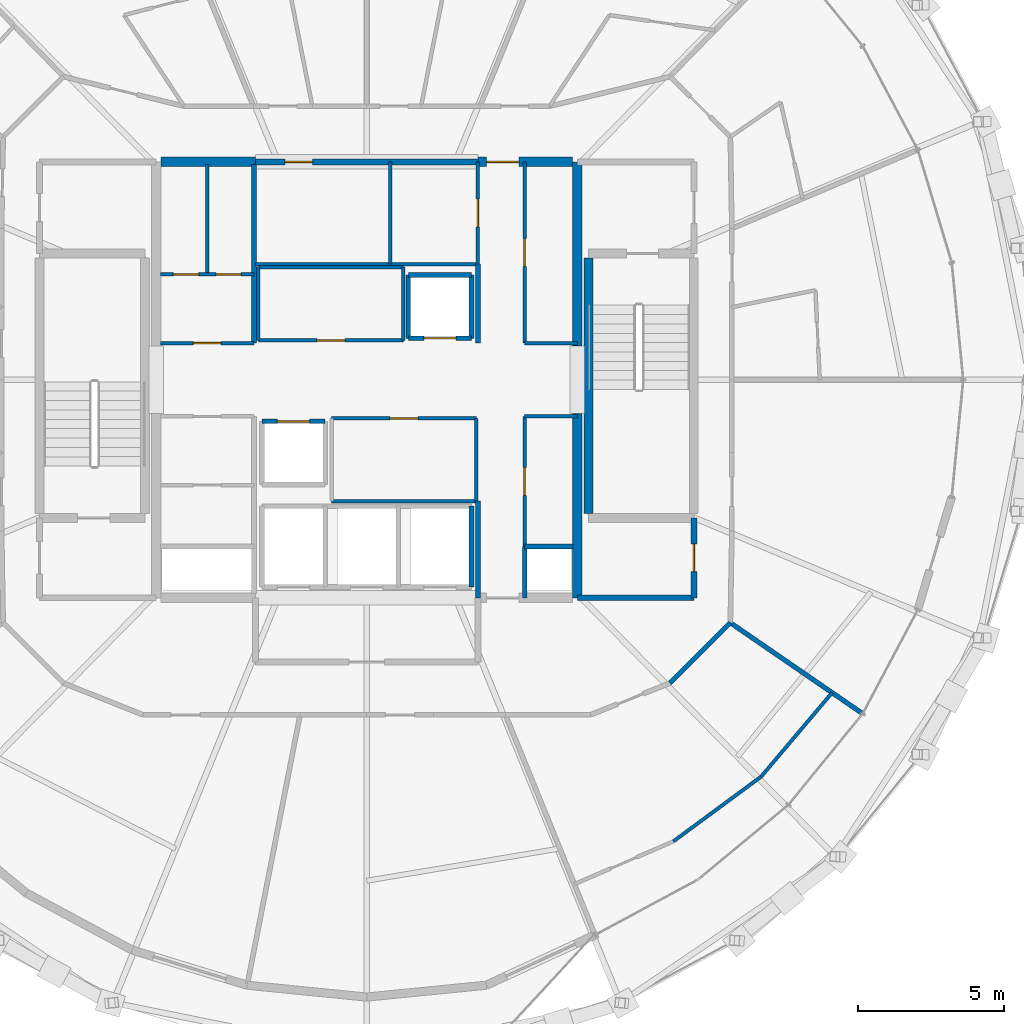
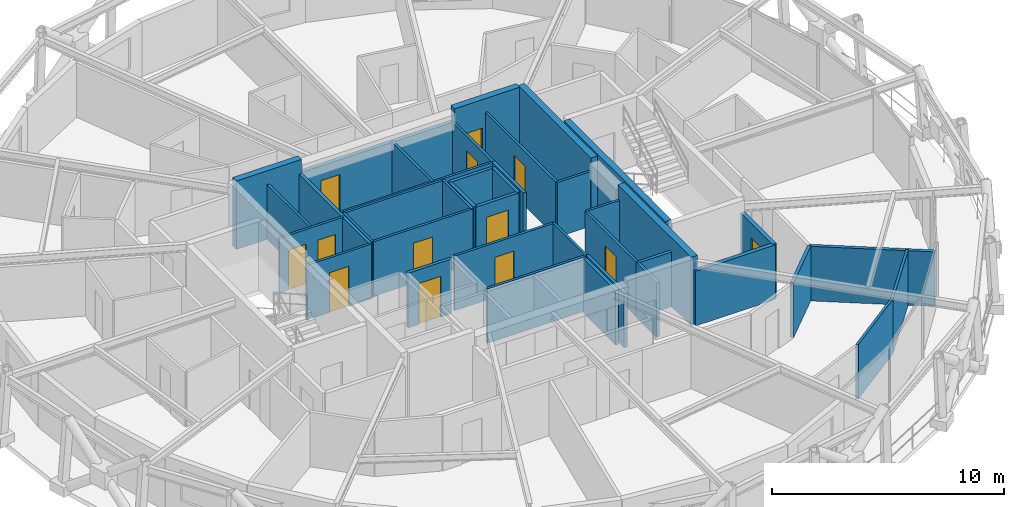
# One storey, part 12 of 15: 40 walls, 13 doors, 13 openings.
"""IFC4 building model written with IfcOpenShell, lengths in metres."""

from ifc_helpers import new_model, si_unit, direction, frame, frame_2d, origin, place, context, subcontext, project, spatial, rectangle, extrude, material, layer, layer_set, type_object, element, fill, save


model = new_model("IFC4")

# Units and contexts
model_context = context("Model", 3, precision=1e-05, world=origin(), true_north=direction((0.0, 1.0)))
body_context = subcontext(model_context, "Body", "Model", "MODEL_VIEW")
ifc_project = project(units=[si_unit("LENGTHUNIT", "METRE"), si_unit("AREAUNIT", "SQUARE_METRE"), si_unit("VOLUMEUNIT", "CUBIC_METRE"), si_unit("PLANEANGLEUNIT", "RADIAN"), si_unit("MASSUNIT", "GRAM", prefix="KILO")], contexts=[model_context])

# Site, building, storey
site_placement = place(None, origin())
site = spatial("IfcSite", under=ifc_project, at=site_placement, CompositionType="ELEMENT")
building_placement = place(site_placement, origin())
building = spatial("IfcBuilding", under=site, at=building_placement, Name="Veldorina Hangang Commons", CompositionType="ELEMENT")
storey_placement = place(building_placement, frame((0.0, 0.0, 250.800048828125)))
storey = spatial("IfcBuildingStorey", under=building, at=storey_placement, Name="L65", CompositionType="ELEMENT", Elevation=250.800048828125)

# Walls
ifc_material_1 = material(Name="Concrete C50/60", Category="concrete")
ifc_layer_1 = layer(ifc_material_1, 0.320068359375)
ifc_layer_set_1 = layer_set([ifc_layer_1], Name="Concrete C50/60")
wall_type_1 = type_object("IfcWallType", Name="CW-RC320-C50", PredefinedType="SHEAR", material=ifc_layer_set_1)
for number, where, z_axis, x_axis, name in (
    (1, (39.199951171875, 16.550048828125, 0.0), (0.0, 0.0, 1.0), (0.0, 1.0, 0.0), "L65 E south core shear wall"),
    (2, (39.199951171875, 25.14990234375, 0.0), (0.0, 0.0, 1.0), (0.0, 1.0, 0.0), "L65 E north core shear wall"),
):
    element("IfcWall", number, at=place(storey_placement, frame(where, z_axis=z_axis, x_axis=x_axis)), inside=storey, type_object=wall_type_1, Name=name, PredefinedType="SHEAR", context=body_context, shape_type="SweptSolid", body=[
        extrude(rectangle(XDim=6.300048828125, YDim=0.320068359375, at=frame_2d((3.14990234375, 0.0))), origin(), (0.0, 0.0, 1.0), 3.599853515625),
    ])
wall_1_placement = place(storey_placement, frame((24.9599609375, 31.449951171875, 0.0), z_axis=(0.0, 0.0, 1.0), x_axis=(1.0, 0.0, 0.0)))
element("IfcWall", 3, at=wall_1_placement, inside=storey, type_object=wall_type_1, Name="L65 north-west core shear wall", PredefinedType="SHEAR", context=body_context, shape_type="SweptSolid", body=[
    extrude(rectangle(XDim=3.239990234375, YDim=0.320068359375, at=frame_2d((1.6201171875, 0.0))), origin(), (0.0, 0.0, 1.0), 3.599853515625),
])

# Wall, opening, door
wall_2_placement = place(storey_placement, frame((35.800048828125, 31.449951171875, 0.0), z_axis=(0.0, 0.0, 1.0), x_axis=(1.0, 0.0, 0.0)))
wall_2 = element("IfcWall", 4, at=wall_2_placement, inside=storey, type_object=wall_type_1, Name="L65 north-east core shear wall", PredefinedType="SHEAR", context=body_context, shape_type="SweptSolid", body=[
    extrude(rectangle(XDim=3.239990234375, YDim=0.320068359375, at=frame_2d((1.6201171875, 0.0))), origin(), (0.0, 0.0, 1.0), 3.599853515625),
])
opening_1_placement = place(wall_2_placement, frame((0.300048828125, 0.0, 0.0)))
opening_1 = element("IfcOpeningElement", 5, at=opening_1_placement, cuts=wall_2, Name="Opening D-08", PredefinedType="OPENING", context=body_context, shape_type="SweptSolid", body=[
    extrude(rectangle(XDim=1.10009765625, YDim=2.10009765625, at=frame_2d((0.550048828125, 1.050048828125))), frame((0.0, 0.169921875, 0.0), z_axis=(0.0, -1.0, 0.0), x_axis=(1.0, 0.0, 0.0)), (0.0, 0.0, 1.0), 0.340087890625),
])
ifc_material_2 = material(Name="Steel Fire-Rated Smoke Seal", Category="steel")
door_type_1 = type_object("IfcDoorType", Name="DR-FIRE-1100", OperationType="SINGLE_SWING_RIGHT", PredefinedType="DOOR", material=ifc_material_2)
door_1_placement = place(opening_1_placement, origin())
door_1 = element("IfcDoor", 6, at=door_1_placement, inside=storey, type_object=door_type_1, Name="L65 central lift lobby north corridor door", OperationType="SINGLE_SWING_LEFT", OverallHeight=2.10009765625, OverallWidth=1.10009765625, PredefinedType="DOOR", context=body_context, shape_type="SweptSolid", body=[
    extrude(rectangle(XDim=1.10009765625, YDim=2.10009765625, at=frame_2d((0.550048828125, 1.050048828125))), frame((0.0, 0.02490234375, 0.0), z_axis=(0.0, -1.0, 0.0), x_axis=(1.0, 0.0, 0.0)), (0.0, 0.0, 1.0), 0.050048828125),
])
fill(opening_1, door_1)

# Walls
ifc_layer_2 = layer(ifc_material_1, 0.300048828125)
ifc_layer_set_2 = layer_set([ifc_layer_2], Name="Concrete C50/60")
wall_type_2 = type_object("IfcWallType", Name="SW-STAIR-300", PredefinedType="SHEAR", material=ifc_layer_set_2)
wall_3_placement = place(storey_placement, frame((39.580078125, 19.429931640625, 0.0), z_axis=(0.0, 0.0, 1.0), x_axis=(0.0, 1.0, 0.0)))
element("IfcWall", 7, at=wall_3_placement, inside=storey, type_object=wall_type_2, Name="L65 ST2 inner stair shear wall", PredefinedType="SHEAR", context=body_context, shape_type="SweptSolid", body=[
    extrude(rectangle(XDim=8.739990234375, YDim=0.300048828125, at=frame_2d((4.3701171875, 0.0))), origin(), (0.0, 0.0, 1.0), 3.599853515625),
])
ifc_material_3 = material(Name="Gypsum Fire-Rated Twin Stud Wall", Category="gypsum")
ifc_layer_3 = layer(ifc_material_3, 0.159912109375)
ifc_layer_set_3 = layer_set([ifc_layer_3], Name="Gypsum Fire-Rated Twin Stud Wall")
wall_type_3 = type_object("IfcWallType", Name="WL-FIRE-160", PredefinedType="SOLIDWALL", material=ifc_layer_set_3)
wall_4_placement = place(storey_placement, frame((35.800048828125, 16.550048828125, 0.0), z_axis=(0.0, 0.0, 1.0), x_axis=(0.0, 1.0, 0.0)))
element("IfcWall", 8, at=wall_4_placement, inside=storey, type_object=wall_type_3, Name="L65 Lift passage SW wall 009", PredefinedType="SOLIDWALL", context=body_context, shape_type="SweptSolid", body=[
    extrude(rectangle(XDim=3.300048828125, YDim=0.159912109375, at=frame_2d((1.64990234375, 0.0))), origin(), (0.0, 0.0, 1.0), 2.869873046875),
])
wall_5_placement = place(storey_placement, frame((37.39990234375, 16.550048828125, 0.0), z_axis=(0.0, 0.0, 1.0), x_axis=(0.0, 1.0, 0.0)))
element("IfcWall", 9, at=wall_5_placement, inside=storey, type_object=wall_type_3, Name="L65 Lift passage SE stub 010", PredefinedType="SOLIDWALL", context=body_context, shape_type="SweptSolid", body=[
    extrude(rectangle(XDim=1.75, YDim=0.159912109375, at=frame_2d((0.875, 0.0))), origin(), (0.0, 0.0, 1.0), 2.869873046875),
])
wall_6_placement = place(storey_placement, frame((35.800048828125, 25.25, 0.0), z_axis=(0.0, 0.0, 1.0), x_axis=(0.0, 1.0, 0.0)))
element("IfcWall", 10, at=wall_6_placement, inside=storey, type_object=wall_type_3, Name="L65 Lift passage NW lower wall 011", PredefinedType="SOLIDWALL", context=body_context, shape_type="SweptSolid", body=[
    extrude(rectangle(XDim=2.699951171875, YDim=0.159912109375, at=frame_2d((1.35009765625, 0.0))), origin(), (0.0, 0.0, 1.0), 2.869873046875),
])

# Wall, opening, door
wall_7_placement = place(storey_placement, frame((33.419921875, 25.419921875, 0.0), z_axis=(0.0, 0.0, 1.0), x_axis=(1.0, 0.0, 0.0)))
wall_7 = element("IfcWall", 11, at=wall_7_placement, inside=storey, type_object=wall_type_3, Name="L65 Mid-high front shaft wall 015", PredefinedType="SOLIDWALL", context=body_context, shape_type="SweptSolid", body=[
    extrude(rectangle(XDim=2.16015625, YDim=0.159912109375, at=frame_2d((1.080078125, 0.0))), origin(), (0.0, 0.0, 1.0), 2.869873046875),
])
opening_2_placement = place(wall_7_placement, frame((0.530029296875, 0.0, 0.0)))
opening_2 = element("IfcOpeningElement", 12, at=opening_2_placement, cuts=wall_7, Name="Opening LD-01", PredefinedType="OPENING", context=body_context, shape_type="SweptSolid", body=[
    extrude(rectangle(XDim=1.10009765625, YDim=2.14990234375, at=frame_2d((0.550048828125, 1.074951171875))), frame((0.0, 0.08984375, 0.0), z_axis=(0.0, -1.0, 0.0), x_axis=(1.0, 0.0, 0.0)), (0.0, 0.0, 1.0), 0.179931640625),
])
ifc_material_4 = material(Name="Stainless Steel Brushed Lift Door", Category="steel")
door_type_2 = type_object("IfcDoorType", Name="DR-LIFT-1100", OperationType="SLIDING_TO_LEFT", PredefinedType="DOOR", material=ifc_material_4)
door_2_placement = place(opening_2_placement, origin())
door_2 = element("IfcDoor", 13, at=door_2_placement, inside=storey, type_object=door_type_2, Name="L65 Lift PL-H1 landing door 006", OperationType="SLIDING_TO_RIGHT", OverallHeight=2.14990234375, OverallWidth=1.10009765625, PredefinedType="DOOR", context=body_context, shape_type="SweptSolid", body=[
    extrude(rectangle(XDim=1.10009765625, YDim=2.14990234375, at=frame_2d((0.550048828125, 1.074951171875))), frame((0.0, 0.02490234375, 0.0), z_axis=(0.0, -1.0, 0.0), x_axis=(1.0, 0.0, 0.0)), (0.0, 0.0, 1.0), 0.050048828125),
])
fill(opening_2, door_2)

# Walls
for number, where, z_axis, x_axis, name in (
    (14, (33.419921875, 27.580078125, 0.0), (0.0, 0.0, 1.0), (1.0, 0.0, 0.0), "L65 Mid-high rear shaft wall 016"),
    (15, (33.419921875, 25.419921875, 0.0), (0.0, 0.0, 1.0), (0.0, 1.0, 0.0), "L65 PL-H1 west shaft wall 017"),
    (16, (35.580078125, 25.419921875, 0.0), (0.0, 0.0, 1.0), (0.0, 1.0, 0.0), "L65 PL-H1 east shaft wall 018"),
):
    element("IfcWall", number, at=place(storey_placement, frame(where, z_axis=z_axis, x_axis=x_axis)), inside=storey, type_object=wall_type_3, Name=name, PredefinedType="SOLIDWALL", context=body_context, shape_type="SweptSolid", body=[
        extrude(rectangle(XDim=2.16015625, YDim=0.159912109375, at=frame_2d((1.080078125, 0.0))), origin(), (0.0, 0.0, 1.0), 2.869873046875),
    ])

# Wall, opening, door
wall_8_placement = place(storey_placement, frame((28.419921875, 22.580078125, 0.0), z_axis=(0.0, 0.0, 1.0), x_axis=(1.0, 0.0, 0.0)))
wall_8 = element("IfcWall", 17, at=wall_8_placement, inside=storey, type_object=wall_type_3, Name="L65 Shuttle-high front shaft wall 019", PredefinedType="SOLIDWALL", context=body_context, shape_type="SweptSolid", body=[
    extrude(rectangle(XDim=2.16015625, YDim=0.159912109375, at=frame_2d((1.080078125, 0.0))), origin(), (0.0, 0.0, 1.0), 2.869873046875),
])
opening_3_placement = place(wall_8_placement, frame((0.530029296875, 0.0, 0.0)))
opening_3 = element("IfcOpeningElement", 18, at=opening_3_placement, cuts=wall_8, Name="Opening LD-01", PredefinedType="OPENING", context=body_context, shape_type="SweptSolid", body=[
    extrude(rectangle(XDim=1.10009765625, YDim=2.14990234375, at=frame_2d((0.550048828125, 1.074951171875))), frame((0.0, 0.08984375, 0.0), z_axis=(0.0, -1.0, 0.0), x_axis=(1.0, 0.0, 0.0)), (0.0, 0.0, 1.0), 0.179931640625),
])
door_3_placement = place(opening_3_placement, origin())
door_3 = element("IfcDoor", 19, at=door_3_placement, inside=storey, type_object=door_type_2, Name="L65 Lift PL-H2 landing door 007", OperationType="SLIDING_TO_LEFT", OverallHeight=2.14990234375, OverallWidth=1.10009765625, PredefinedType="DOOR", context=body_context, shape_type="SweptSolid", body=[
    extrude(rectangle(XDim=1.10009765625, YDim=2.14990234375, at=frame_2d((0.550048828125, 1.074951171875))), frame((0.0, 0.02490234375, 0.0), z_axis=(0.0, -1.0, 0.0), x_axis=(1.0, 0.0, 0.0)), (0.0, 0.0, 1.0), 0.050048828125),
])
fill(opening_3, door_3)

# Walls
wall_9_placement = place(storey_placement, frame((35.580078125, 16.919921875, 0.0), z_axis=(0.0, 0.0, 1.0), x_axis=(0.0, 1.0, 0.0)))
element("IfcWall", 20, at=wall_9_placement, inside=storey, type_object=wall_type_3, Name="L65 EVL-1 east shaft wall 028", PredefinedType="SOLIDWALL", context=body_context, shape_type="SweptSolid", body=[
    extrude(rectangle(XDim=2.760009765625, YDim=0.159912109375, at=frame_2d((1.3798828125, 0.0))), origin(), (0.0, 0.0, 1.0), 2.869873046875),
])
wall_10_placement = place(storey_placement, frame((37.39990234375, 18.300048828125, 0.0), z_axis=(0.0, 0.0, 1.0), x_axis=(1.0, 0.0, 0.0)))
element("IfcWall", 21, at=wall_10_placement, inside=storey, type_object=wall_type_3, Name="L65 Plumbing riser wall 043", PredefinedType="SOLIDWALL", context=body_context, shape_type="SweptSolid", body=[
    extrude(rectangle(XDim=1.650146484375, YDim=0.159912109375, at=frame_2d((0.8251953125, 0.0))), origin(), (0.0, 0.0, 1.0), 2.869873046875),
])
wall_11_placement = place(storey_placement, frame((28.14990234375, 25.25, 0.0), z_axis=(0.0, 0.0, 1.0), x_axis=(0.0, 1.0, 0.0)))
element("IfcWall", 22, at=wall_11_placement, inside=storey, type_object=wall_type_3, Name="L65 NW core inner wall 044", PredefinedType="SOLIDWALL", context=body_context, shape_type="SweptSolid", body=[
    extrude(rectangle(XDim=6.10009765625, YDim=0.159912109375, at=frame_2d((3.050048828125, 0.0))), origin(), (0.0, 0.0, 1.0), 2.869873046875),
])
wall_12_placement = place(storey_placement, frame((42.364990234375, 13.635009765625, 0.0), z_axis=(0.0, 0.0, 1.0), x_axis=(0.707106781187, 0.707106781187, 0.0)))
element("IfcWall", 23, at=wall_12_placement, inside=storey, type_object=wall_type_3, Name="L65 Compact collar outer wall 28 082", PredefinedType="SOLIDWALL", context=body_context, shape_type="SweptSolid", body=[
    extrude(rectangle(XDim=2.915771484375, YDim=0.159912109375, at=frame_2d((1.4580078125, 0.0))), origin(), (0.0, 0.0, 1.0), 2.869873046875),
])
wall_13_placement = place(storey_placement, frame((44.4267578125, 15.69677734375, 0.0), z_axis=(0.0, 0.0, 1.0), x_axis=(0.824260654359, -0.566210538294, 0.0)))
element("IfcWall", 24, at=wall_13_placement, inside=storey, type_object=wall_type_3, Name="L65 Unit party wall 29 086", PredefinedType="SOLIDWALL", context=body_context, shape_type="SweptSolid", body=[
    extrude(rectangle(XDim=5.437255859375, YDim=0.159912109375, at=frame_2d((2.71875, 0.0))), origin(), (0.0, 0.0, 1.0), 2.869873046875),
])

# Wall, opening, door
ifc_material_5 = material(Name="Concrete Blockwork Fire Wall C30/37", Category="masonry")
ifc_layer_4 = layer(ifc_material_5, 0.199951171875)
ifc_layer_set_4 = layer_set([ifc_layer_4], Name="Concrete Blockwork Fire Wall C30/37")
wall_type_4 = type_object("IfcWallType", Name="WL-FIRE-200", PredefinedType="SOLIDWALL", material=ifc_layer_set_4)
wall_14_placement = place(storey_placement, frame((43.179931640625, 16.550048828125, 0.0), z_axis=(0.0, 0.0, 1.0), x_axis=(0.0, 1.0, 0.0)))
wall_14 = element("IfcWall", 25, at=wall_14_placement, inside=storey, type_object=wall_type_4, Name="L65 SE core room outer wall 007", PredefinedType="SOLIDWALL", context=body_context, shape_type="SweptSolid", body=[
    extrude(rectangle(XDim=2.72998046875, YDim=0.199951171875, at=frame_2d((1.364990234375, 0.0))), origin(), (0.0, 0.0, 1.0), 2.869873046875),
])
opening_4_placement = place(wall_14_placement, frame((0.889892578125, 0.0, 0.0)))
opening_4 = element("IfcOpeningElement", 26, at=opening_4_placement, cuts=wall_14, Name="Opening D-02", PredefinedType="OPENING", context=body_context, shape_type="SweptSolid", body=[
    extrude(rectangle(XDim=0.949951171875, YDim=2.10009765625, at=frame_2d((0.47509765625, 1.050048828125))), frame((0.0, 0.10986328125, 0.0), z_axis=(0.0, -1.0, 0.0), x_axis=(1.0, 0.0, 0.0)), (0.0, 0.0, 1.0), 0.219970703125),
])
ifc_material_6 = material(Name="Timber Solid Core Acoustic", Category="wood")
door_type_3 = type_object("IfcDoorType", Name="DR-INT-950", OperationType="SINGLE_SWING_LEFT", PredefinedType="DOOR", material=ifc_material_6)
door_4_placement = place(opening_4_placement, origin())
door_4 = element("IfcDoor", 27, at=door_4_placement, inside=storey, type_object=door_type_3, Name="L65 SE core WC door 004", OperationType="SINGLE_SWING_RIGHT", OverallHeight=2.10009765625, OverallWidth=0.949951171875, PredefinedType="DOOR", context=body_context, shape_type="SweptSolid", body=[
    extrude(rectangle(XDim=0.949951171875, YDim=2.10009765625, at=frame_2d((0.47509765625, 1.050048828125))), frame((0.0, 0.02490234375, 0.0), z_axis=(0.0, -1.0, 0.0), x_axis=(1.0, 0.0, 0.0)), (0.0, 0.0, 1.0), 0.050048828125),
])
fill(opening_4, door_4)

# Wall
wall_15_placement = place(storey_placement, frame((39.199951171875, 16.550048828125, 0.0), z_axis=(0.0, 0.0, 1.0), x_axis=(1.0, 0.0, 0.0)))
element("IfcWall", 28, at=wall_15_placement, inside=storey, type_object=wall_type_4, Name="L65 SE core room south wall 008", PredefinedType="SOLIDWALL", context=body_context, shape_type="SweptSolid", body=[
    extrude(rectangle(XDim=3.97998046875, YDim=0.199951171875, at=frame_2d((1.989990234375, 0.0))), origin(), (0.0, 0.0, 1.0), 2.869873046875),
])

# Wall, opening, door
wall_16_placement = place(storey_placement, frame((28.199951171875, 31.449951171875, 0.0), z_axis=(0.0, 0.0, 1.0), x_axis=(1.0, 0.0, 0.0)))
wall_16 = element("IfcWall", 29, at=wall_16_placement, inside=storey, type_object=wall_type_4, Name="L65 Merged north core wall 029", PredefinedType="SOLIDWALL", context=body_context, shape_type="SweptSolid", body=[
    extrude(rectangle(XDim=7.60009765625, YDim=0.199951171875, at=frame_2d((3.800048828125, 0.0))), origin(), (0.0, 0.0, 1.0), 2.869873046875),
])
opening_5_placement = place(wall_16_placement, frame((1.0, 0.0, 0.0)))
opening_5 = element("IfcOpeningElement", 30, at=opening_5_placement, cuts=wall_16, Name="Opening D-02", PredefinedType="OPENING", context=body_context, shape_type="SweptSolid", body=[
    extrude(rectangle(XDim=0.949951171875, YDim=2.10009765625, at=frame_2d((0.47509765625, 1.050048828125))), frame((0.0, 0.10986328125, 0.0), z_axis=(0.0, -1.0, 0.0), x_axis=(1.0, 0.0, 0.0)), (0.0, 0.0, 1.0), 0.219970703125),
])
door_5_placement = place(opening_5_placement, origin())
door_5 = element("IfcDoor", 31, at=door_5_placement, inside=storey, type_object=door_type_3, Name="L65 Core study alcove door 011", OperationType="SINGLE_SWING_LEFT", OverallHeight=2.10009765625, OverallWidth=0.949951171875, PredefinedType="DOOR", context=body_context, shape_type="SweptSolid", body=[
    extrude(rectangle(XDim=0.949951171875, YDim=2.10009765625, at=frame_2d((0.47509765625, 1.050048828125))), frame((0.0, 0.02490234375, 0.0), z_axis=(0.0, -1.0, 0.0), x_axis=(1.0, 0.0, 0.0)), (0.0, 0.0, 1.0), 0.050048828125),
])
fill(opening_5, door_5)

# Wall
ifc_material_7 = material(Name="Gypsum Acoustic Stud Partition", Category="gypsum")
ifc_layer_5 = layer(ifc_material_7, 0.1201171875)
ifc_layer_set_5 = layer_set([ifc_layer_5], Name="Gypsum Acoustic Stud Partition")
wall_type_5 = type_object("IfcWallType", Name="WL-PART-120", PredefinedType="PARTITIONING", material=ifc_layer_set_5)
wall_17_placement = place(storey_placement, frame((28.199951171875, 27.949951171875, 0.0), z_axis=(0.0, 0.0, 1.0), x_axis=(1.0, 0.0, 0.0)))
element("IfcWall", 32, at=wall_17_placement, inside=storey, type_object=wall_type_5, Name="L65 Merged north south wall 030", PredefinedType="PARTITIONING", context=body_context, shape_type="SweptSolid", body=[
    extrude(rectangle(XDim=7.60009765625, YDim=0.1201171875, at=frame_2d((3.800048828125, 0.0))), origin(), (0.0, 0.0, 1.0), 2.869873046875),
])

# Wall, opening, door
wall_18_placement = place(storey_placement, frame((35.800048828125, 27.949951171875, 0.0), z_axis=(0.0, 0.0, 1.0), x_axis=(0.0, 1.0, 0.0)))
wall_18 = element("IfcWall", 33, at=wall_18_placement, inside=storey, type_object=wall_type_5, Name="L65 Merged north east wall 031", PredefinedType="PARTITIONING", context=body_context, shape_type="SweptSolid", body=[
    extrude(rectangle(XDim=3.5, YDim=0.1201171875, at=frame_2d((1.75, 0.0))), origin(), (0.0, 0.0, 1.0), 2.869873046875),
])
opening_6_placement = place(wall_18_placement, frame((1.27490234375, 0.0, 0.0)))
opening_6 = element("IfcOpeningElement", 34, at=opening_6_placement, cuts=wall_18, Name="Opening D-02", PredefinedType="OPENING", context=body_context, shape_type="SweptSolid", body=[
    extrude(rectangle(XDim=0.949951171875, YDim=2.10009765625, at=frame_2d((0.47509765625, 1.050048828125))), frame((0.0, 0.070068359375, 0.0), z_axis=(0.0, -1.0, 0.0), x_axis=(1.0, 0.0, 0.0)), (0.0, 0.0, 1.0), 0.14013671875),
])
door_6_placement = place(opening_6_placement, origin())
door_6 = element("IfcDoor", 35, at=door_6_placement, inside=storey, type_object=door_type_3, Name="L65 Core linen store door 012", OperationType="SINGLE_SWING_RIGHT", OverallHeight=2.10009765625, OverallWidth=0.949951171875, PredefinedType="DOOR", context=body_context, shape_type="SweptSolid", body=[
    extrude(rectangle(XDim=0.949951171875, YDim=2.10009765625, at=frame_2d((0.47509765625, 1.050048828125))), frame((0.0, 0.02490234375, 0.0), z_axis=(0.0, -1.0, 0.0), x_axis=(1.0, 0.0, 0.0)), (0.0, 0.0, 1.0), 0.050048828125),
])
fill(opening_6, door_6)

# Wall
wall_19_placement = place(storey_placement, frame((32.800048828125, 27.949951171875, 0.0), z_axis=(0.0, 0.0, 1.0), x_axis=(0.0, 1.0, 0.0)))
element("IfcWall", 36, at=wall_19_placement, inside=storey, type_object=wall_type_5, Name="L65 Merged north split wall 032", PredefinedType="PARTITIONING", context=body_context, shape_type="SweptSolid", body=[
    extrude(rectangle(XDim=3.5, YDim=0.1201171875, at=frame_2d((1.75, 0.0))), origin(), (0.0, 0.0, 1.0), 2.869873046875),
])

# Wall, opening, door
wall_20_placement = place(storey_placement, frame((28.300048828125, 25.35009765625, 0.0), z_axis=(0.0, 0.0, 1.0), x_axis=(1.0, 0.0, 0.0)))
wall_20 = element("IfcWall", 37, at=wall_20_placement, inside=storey, type_object=wall_type_5, Name="L65 Merged mid-bank south wall 033", PredefinedType="PARTITIONING", context=body_context, shape_type="SweptSolid", body=[
    extrude(rectangle(XDim=4.949951171875, YDim=0.1201171875, at=frame_2d((2.47509765625, 0.0))), origin(), (0.0, 0.0, 1.0), 2.869873046875),
])
opening_7_placement = place(wall_20_placement, frame((2.0, 0.0, 0.0)))
opening_7 = element("IfcOpeningElement", 38, at=opening_7_placement, cuts=wall_20, Name="Opening D-02", PredefinedType="OPENING", context=body_context, shape_type="SweptSolid", body=[
    extrude(rectangle(XDim=0.949951171875, YDim=2.10009765625, at=frame_2d((0.47509765625, 1.050048828125))), frame((0.0, 0.070068359375, 0.0), z_axis=(0.0, -1.0, 0.0), x_axis=(1.0, 0.0, 0.0)), (0.0, 0.0, 1.0), 0.14013671875),
])
door_7_placement = place(opening_7_placement, origin())
door_7 = element("IfcDoor", 39, at=door_7_placement, inside=storey, type_object=door_type_3, Name="L65 Quiet study room door 013", OperationType="SINGLE_SWING_LEFT", OverallHeight=2.10009765625, OverallWidth=0.949951171875, PredefinedType="DOOR", context=body_context, shape_type="SweptSolid", body=[
    extrude(rectangle(XDim=0.949951171875, YDim=2.10009765625, at=frame_2d((0.47509765625, 1.050048828125))), frame((0.0, 0.02490234375, 0.0), z_axis=(0.0, -1.0, 0.0), x_axis=(1.0, 0.0, 0.0)), (0.0, 0.0, 1.0), 0.050048828125),
])
fill(opening_7, door_7)

# Walls
wall_21_placement = place(storey_placement, frame((28.300048828125, 27.85009765625, 0.0), z_axis=(0.0, 0.0, 1.0), x_axis=(1.0, 0.0, 0.0)))
element("IfcWall", 40, at=wall_21_placement, inside=storey, type_object=wall_type_5, Name="L65 Merged mid-bank north wall 034", PredefinedType="PARTITIONING", context=body_context, shape_type="SweptSolid", body=[
    extrude(rectangle(XDim=4.949951171875, YDim=0.1201171875, at=frame_2d((2.47509765625, 0.0))), origin(), (0.0, 0.0, 1.0), 2.869873046875),
])
for number, where, z_axis, x_axis, name in (
    (41, (28.300048828125, 25.35009765625, 0.0), (0.0, 0.0, 1.0), (0.0, 1.0, 0.0), "L65 Merged mid-bank west wall 035"),
    (42, (33.25, 25.35009765625, 0.0), (0.0, 0.0, 1.0), (0.0, 1.0, 0.0), "L65 Merged mid-bank east wall 036"),
):
    element("IfcWall", number, at=place(storey_placement, frame(where, z_axis=z_axis, x_axis=x_axis)), inside=storey, type_object=wall_type_5, Name=name, PredefinedType="PARTITIONING", context=body_context, shape_type="SweptSolid", body=[
        extrude(rectangle(XDim=2.5, YDim=0.1201171875, at=frame_2d((1.25, 0.0))), origin(), (0.0, 0.0, 1.0), 2.869873046875),
    ])

# Wall, opening, door
wall_22_placement = place(storey_placement, frame((30.800048828125, 22.679931640625, 0.0), z_axis=(0.0, 0.0, 1.0), x_axis=(1.0, 0.0, 0.0)))
wall_22 = element("IfcWall", 43, at=wall_22_placement, inside=storey, type_object=wall_type_5, Name="L65 Merged shuttle north wall 037", PredefinedType="PARTITIONING", context=body_context, shape_type="SweptSolid", body=[
    extrude(rectangle(XDim=4.949951171875, YDim=0.1201171875, at=frame_2d((2.47509765625, 0.0))), origin(), (0.0, 0.0, 1.0), 2.869873046875),
])
opening_8_placement = place(wall_22_placement, frame((2.0, 0.0, 0.0)))
opening_8 = element("IfcOpeningElement", 44, at=opening_8_placement, cuts=wall_22, Name="Opening D-02", PredefinedType="OPENING", context=body_context, shape_type="SweptSolid", body=[
    extrude(rectangle(XDim=0.949951171875, YDim=2.10009765625, at=frame_2d((0.47509765625, 1.050048828125))), frame((0.0, 0.070068359375, 0.0), z_axis=(0.0, -1.0, 0.0), x_axis=(1.0, 0.0, 0.0)), (0.0, 0.0, 1.0), 0.14013671875),
])
door_8_placement = place(opening_8_placement, origin())
door_8 = element("IfcDoor", 45, at=door_8_placement, inside=storey, type_object=door_type_3, Name="L65 Floor tea pantry door 014", OperationType="SINGLE_SWING_RIGHT", OverallHeight=2.10009765625, OverallWidth=0.949951171875, PredefinedType="DOOR", context=body_context, shape_type="SweptSolid", body=[
    extrude(rectangle(XDim=0.949951171875, YDim=2.10009765625, at=frame_2d((0.47509765625, 1.050048828125))), frame((0.0, 0.02490234375, 0.0), z_axis=(0.0, -1.0, 0.0), x_axis=(1.0, 0.0, 0.0)), (0.0, 0.0, 1.0), 0.050048828125),
])
fill(opening_8, door_8)

# Walls
wall_23_placement = place(storey_placement, frame((30.800048828125, 19.85009765625, 0.0), z_axis=(0.0, 0.0, 1.0), x_axis=(1.0, 0.0, 0.0)))
element("IfcWall", 46, at=wall_23_placement, inside=storey, type_object=wall_type_5, Name="L65 Merged shuttle south wall 038", PredefinedType="PARTITIONING", context=body_context, shape_type="SweptSolid", body=[
    extrude(rectangle(XDim=4.949951171875, YDim=0.1201171875, at=frame_2d((2.47509765625, 0.0))), origin(), (0.0, 0.0, 1.0), 2.869873046875),
])
wall_24_placement = place(storey_placement, frame((35.75, 19.85009765625, 0.0), z_axis=(0.0, 0.0, 1.0), x_axis=(0.0, 1.0, 0.0)))
element("IfcWall", 47, at=wall_24_placement, inside=storey, type_object=wall_type_5, Name="L65 Merged shuttle east wall 040", PredefinedType="PARTITIONING", context=body_context, shape_type="SweptSolid", body=[
    extrude(rectangle(XDim=2.829833984375, YDim=0.1201171875, at=frame_2d((1.4150390625, 0.0))), origin(), (0.0, 0.0, 1.0), 2.869873046875),
])

# Wall, opening, door
wall_25_placement = place(storey_placement, frame((24.949951171875, 25.25, 0.0), z_axis=(0.0, 0.0, 1.0), x_axis=(1.0, 0.0, 0.0)))
wall_25 = element("IfcWall", 48, at=wall_25_placement, inside=storey, type_object=wall_type_5, Name="L65 NW service south wall 045", PredefinedType="PARTITIONING", context=body_context, shape_type="SweptSolid", body=[
    extrude(rectangle(XDim=3.199951171875, YDim=0.1201171875, at=frame_2d((1.60009765625, 0.0))), origin(), (0.0, 0.0, 1.0), 2.869873046875),
])
opening_9_placement = place(wall_25_placement, frame((1.125, 0.0, 0.0)))
opening_9 = element("IfcOpeningElement", 49, at=opening_9_placement, cuts=wall_25, Name="Opening D-02", PredefinedType="OPENING", context=body_context, shape_type="SweptSolid", body=[
    extrude(rectangle(XDim=0.949951171875, YDim=2.10009765625, at=frame_2d((0.47509765625, 1.050048828125))), frame((0.0, 0.070068359375, 0.0), z_axis=(0.0, -1.0, 0.0), x_axis=(1.0, 0.0, 0.0)), (0.0, 0.0, 1.0), 0.14013671875),
])
door_9_placement = place(opening_9_placement, origin())
door_9 = element("IfcDoor", 50, at=door_9_placement, inside=storey, type_object=door_type_3, Name="L65 Utility vestibule door 015", OperationType="SINGLE_SWING_LEFT", OverallHeight=2.10009765625, OverallWidth=0.949951171875, PredefinedType="DOOR", context=body_context, shape_type="SweptSolid", body=[
    extrude(rectangle(XDim=0.949951171875, YDim=2.10009765625, at=frame_2d((0.47509765625, 1.050048828125))), frame((0.0, 0.02490234375, 0.0), z_axis=(0.0, -1.0, 0.0), x_axis=(1.0, 0.0, 0.0)), (0.0, 0.0, 1.0), 0.050048828125),
])
fill(opening_9, door_9)

wall_26_placement = place(storey_placement, frame((37.39990234375, 25.25, 0.0), z_axis=(0.0, 0.0, 1.0), x_axis=(0.0, 1.0, 0.0)))
wall_26 = element("IfcWall", 51, at=wall_26_placement, inside=storey, type_object=wall_type_5, Name="L65 NE strip lobby wall 047", PredefinedType="PARTITIONING", context=body_context, shape_type="SweptSolid", body=[
    extrude(rectangle(XDim=6.199951171875, YDim=0.1201171875, at=frame_2d((3.10009765625, 0.0))), origin(), (0.0, 0.0, 1.0), 2.869873046875),
])
opening_10_placement = place(wall_26_placement, frame((2.625, 0.0, 0.0)))
opening_10 = element("IfcOpeningElement", 52, at=opening_10_placement, cuts=wall_26, Name="Opening D-02", PredefinedType="OPENING", context=body_context, shape_type="SweptSolid", body=[
    extrude(rectangle(XDim=0.949951171875, YDim=2.10009765625, at=frame_2d((0.47509765625, 1.050048828125))), frame((0.0, 0.070068359375, 0.0), z_axis=(0.0, -1.0, 0.0), x_axis=(1.0, 0.0, 0.0)), (0.0, 0.0, 1.0), 0.14013671875),
])
door_10_placement = place(opening_10_placement, origin())
door_10 = element("IfcDoor", 53, at=door_10_placement, inside=storey, type_object=door_type_3, Name="L65 Switchboard door 020", OperationType="SINGLE_SWING_RIGHT", OverallHeight=2.10009765625, OverallWidth=0.949951171875, PredefinedType="DOOR", context=body_context, shape_type="SweptSolid", body=[
    extrude(rectangle(XDim=0.949951171875, YDim=2.10009765625, at=frame_2d((0.47509765625, 1.050048828125))), frame((0.0, 0.02490234375, 0.0), z_axis=(0.0, -1.0, 0.0), x_axis=(1.0, 0.0, 0.0)), (0.0, 0.0, 1.0), 0.050048828125),
])
fill(opening_10, door_10)

# Wall
wall_27_placement = place(storey_placement, frame((37.39990234375, 25.25, 0.0), z_axis=(0.0, 0.0, 1.0), x_axis=(1.0, 0.0, 0.0)))
element("IfcWall", 54, at=wall_27_placement, inside=storey, type_object=wall_type_5, Name="L65 NE strip south return wall 048", PredefinedType="PARTITIONING", context=body_context, shape_type="SweptSolid", body=[
    extrude(rectangle(XDim=1.800048828125, YDim=0.1201171875, at=frame_2d((0.89990234375, 0.0))), origin(), (0.0, 0.0, 1.0), 2.869873046875),
])

# Wall, opening, door
wall_28_placement = place(storey_placement, frame((37.39990234375, 18.300048828125, 0.0), z_axis=(0.0, 0.0, 1.0), x_axis=(0.0, 1.0, 0.0)))
wall_28 = element("IfcWall", 55, at=wall_28_placement, inside=storey, type_object=wall_type_5, Name="L65 SE strip lobby wall 049", PredefinedType="PARTITIONING", context=body_context, shape_type="SweptSolid", body=[
    extrude(rectangle(XDim=4.449951171875, YDim=0.1201171875, at=frame_2d((2.22509765625, 0.0))), origin(), (0.0, 0.0, 1.0), 2.869873046875),
])
opening_11_placement = place(wall_28_placement, frame((1.75, 0.0, 0.0)))
opening_11 = element("IfcOpeningElement", 56, at=opening_11_placement, cuts=wall_28, Name="Opening D-02", PredefinedType="OPENING", context=body_context, shape_type="SweptSolid", body=[
    extrude(rectangle(XDim=0.949951171875, YDim=2.10009765625, at=frame_2d((0.47509765625, 1.050048828125))), frame((0.0, 0.070068359375, 0.0), z_axis=(0.0, -1.0, 0.0), x_axis=(1.0, 0.0, 0.0)), (0.0, 0.0, 1.0), 0.14013671875),
])
door_11_placement = place(opening_11_placement, origin())
door_11 = element("IfcDoor", 57, at=door_11_placement, inside=storey, type_object=door_type_3, Name="L65 Telemetry door 021", OperationType="SINGLE_SWING_LEFT", OverallHeight=2.10009765625, OverallWidth=0.949951171875, PredefinedType="DOOR", context=body_context, shape_type="SweptSolid", body=[
    extrude(rectangle(XDim=0.949951171875, YDim=2.10009765625, at=frame_2d((0.47509765625, 1.050048828125))), frame((0.0, 0.02490234375, 0.0), z_axis=(0.0, -1.0, 0.0), x_axis=(1.0, 0.0, 0.0)), (0.0, 0.0, 1.0), 0.050048828125),
])
fill(opening_11, door_11)

# Wall
wall_29_placement = place(storey_placement, frame((37.39990234375, 22.75, 0.0), z_axis=(0.0, 0.0, 1.0), x_axis=(1.0, 0.0, 0.0)))
element("IfcWall", 58, at=wall_29_placement, inside=storey, type_object=wall_type_5, Name="L65 SE strip north return wall 050", PredefinedType="PARTITIONING", context=body_context, shape_type="SweptSolid", body=[
    extrude(rectangle(XDim=1.800048828125, YDim=0.1201171875, at=frame_2d((0.89990234375, 0.0))), origin(), (0.0, 0.0, 1.0), 2.869873046875),
])

# Wall, openings, doors
wall_30_placement = place(storey_placement, frame((24.949951171875, 27.60009765625, 0.0), z_axis=(0.0, 0.0, 1.0), x_axis=(1.0, 0.0, 0.0)))
wall_30 = element("IfcWall", 59, at=wall_30_placement, inside=storey, type_object=wall_type_5, Name="L65 NW lower split 051", PredefinedType="PARTITIONING", context=body_context, shape_type="SweptSolid", body=[
    extrude(rectangle(XDim=3.199951171875, YDim=0.1201171875, at=frame_2d((1.60009765625, 0.0))), origin(), (0.0, 0.0, 1.0), 2.869873046875),
])
opening_12_placement = place(wall_30_placement, frame((0.43994140625, 0.0, 0.0)))
opening_12 = element("IfcOpeningElement", 60, at=opening_12_placement, cuts=wall_30, Name="Opening D-01", PredefinedType="OPENING", context=body_context, shape_type="SweptSolid", body=[
    extrude(rectangle(XDim=0.860107421875, YDim=2.10009765625, at=frame_2d((0.43017578125, 1.050048828125))), frame((0.0, 0.070068359375, 0.0), z_axis=(0.0, -1.0, 0.0), x_axis=(1.0, 0.0, 0.0)), (0.0, 0.0, 1.0), 0.14013671875),
])
opening_13_placement = place(wall_30_placement, frame((1.89990234375, 0.0, 0.0)))
opening_13 = element("IfcOpeningElement", 61, at=opening_13_placement, cuts=wall_30, Name="Opening D-01", PredefinedType="OPENING", context=body_context, shape_type="SweptSolid", body=[
    extrude(rectangle(XDim=0.860107421875, YDim=2.10009765625, at=frame_2d((0.43017578125, 1.050048828125))), frame((0.0, 0.070068359375, 0.0), z_axis=(0.0, -1.0, 0.0), x_axis=(1.0, 0.0, 0.0)), (0.0, 0.0, 1.0), 0.14013671875),
])
ifc_material_8 = material(Name="Timber Moisture-Resistant Core", Category="wood")
door_type_4 = type_object("IfcDoorType", Name="DR-WET-860", OperationType="SINGLE_SWING_LEFT", PredefinedType="DOOR", material=ifc_material_8)
door_12_placement = place(opening_12_placement, origin())
door_12 = element("IfcDoor", 62, at=door_12_placement, inside=storey, type_object=door_type_4, Name="L65 Store A door 016", OperationType="SINGLE_SWING_RIGHT", OverallHeight=2.10009765625, OverallWidth=0.860107421875, PredefinedType="DOOR", context=body_context, shape_type="SweptSolid", body=[
    extrude(rectangle(XDim=0.860107421875, YDim=2.10009765625, at=frame_2d((0.43017578125, 1.050048828125))), frame((0.0, 0.02490234375, 0.0), z_axis=(0.0, -1.0, 0.0), x_axis=(1.0, 0.0, 0.0)), (0.0, 0.0, 1.0), 0.050048828125),
])
fill(opening_12, door_12)
door_13_placement = place(opening_13_placement, origin())
door_13 = element("IfcDoor", 63, at=door_13_placement, inside=storey, type_object=door_type_4, Name="L65 Store B door 017", OperationType="SINGLE_SWING_LEFT", OverallHeight=2.10009765625, OverallWidth=0.860107421875, PredefinedType="DOOR", context=body_context, shape_type="SweptSolid", body=[
    extrude(rectangle(XDim=0.860107421875, YDim=2.10009765625, at=frame_2d((0.43017578125, 1.050048828125))), frame((0.0, 0.02490234375, 0.0), z_axis=(0.0, -1.0, 0.0), x_axis=(1.0, 0.0, 0.0)), (0.0, 0.0, 1.0), 0.050048828125),
])
fill(opening_13, door_13)

# Walls
wall_31_placement = place(storey_placement, frame((26.550048828125, 27.60009765625, 0.0), z_axis=(0.0, 0.0, 1.0), x_axis=(0.0, 1.0, 0.0)))
element("IfcWall", 64, at=wall_31_placement, inside=storey, type_object=wall_type_5, Name="L65 NW upper vertical split 052", PredefinedType="PARTITIONING", context=body_context, shape_type="SweptSolid", body=[
    extrude(rectangle(XDim=3.75, YDim=0.1201171875, at=frame_2d((1.875, 0.0))), origin(), (0.0, 0.0, 1.0), 2.869873046875),
])
wall_32_placement = place(storey_placement, frame((42.477294921875, 8.221923828125, 0.0), z_axis=(0.0, 0.0, 1.0), x_axis=(0.80472515512, 0.593647559346, 0.0)))
element("IfcWall", 65, at=wall_32_placement, inside=storey, type_object=wall_type_5, Name="L65 Laundry split 1 118", PredefinedType="PARTITIONING", context=body_context, shape_type="SweptSolid", body=[
    extrude(rectangle(XDim=3.731201171875, YDim=0.1201171875, at=frame_2d((1.86572265625, 0.0))), origin(), (0.0, 0.0, 1.0), 2.869873046875),
])
wall_33_placement = place(storey_placement, frame((45.47998046875, 10.43701171875, 0.0), z_axis=(0.0, 0.0, 1.0), x_axis=(0.645581040063, 0.76369177075, 0.0)))
element("IfcWall", 66, at=wall_33_placement, inside=storey, type_object=wall_type_5, Name="L65 Laundry split 2 119", PredefinedType="PARTITIONING", context=body_context, shape_type="SweptSolid", body=[
    extrude(rectangle(XDim=3.7578125, YDim=0.1201171875, at=frame_2d((1.87890625, 0.0))), origin(), (0.0, 0.0, 1.0), 2.869873046875),
])

save(model, "model.ifc")
